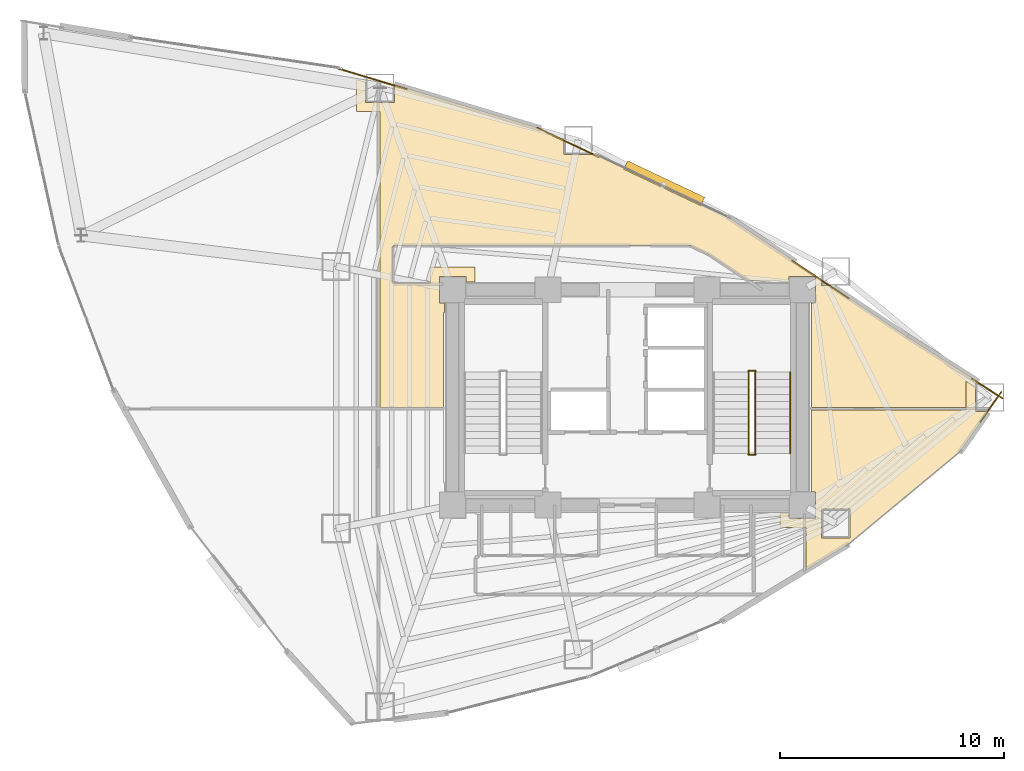
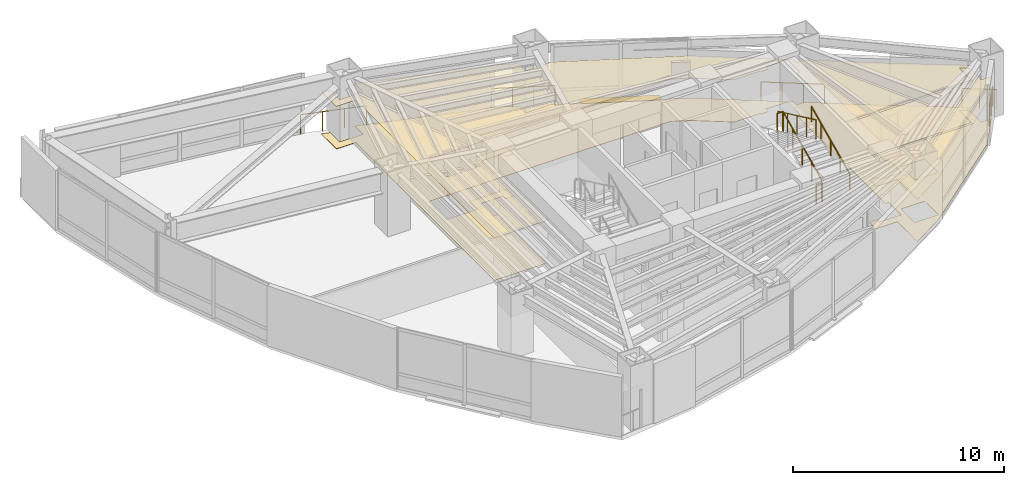
# One storey, part 23 of 23: 10 railings, 4 coverings, 1 shading device.
"""IFC4 building model written with IfcOpenShell, lengths in metres."""

from ifc_helpers import new_model, si_unit, direction, frame, origin, origin_2d, place, context, subcontext, project, spatial, polyline, rectangle, circle, outline, extrude, material, layer, layer_set, type_object, element, save


model = new_model("IFC4")

# Units and contexts
model_context = context("Model", 3, precision=1e-05, world=origin(), true_north=direction((0.0, 1.0)))
body_context = subcontext(model_context, "Body", "Model", "MODEL_VIEW")
ifc_project = project(units=[si_unit("LENGTHUNIT", "METRE"), si_unit("AREAUNIT", "SQUARE_METRE"), si_unit("VOLUMEUNIT", "CUBIC_METRE"), si_unit("PLANEANGLEUNIT", "RADIAN"), si_unit("MASSUNIT", "GRAM", prefix="KILO")], contexts=[model_context])

# Site, building, storey
site_placement = place(None, origin())
site = spatial("IfcSite", under=ifc_project, at=site_placement, CompositionType="ELEMENT")
building_placement = place(site_placement, origin())
building = spatial("IfcBuilding", under=site, at=building_placement, Name="Menara Vayukalpa", CompositionType="ELEMENT")
storey_placement = place(building_placement, frame((0.0, 0.0, 107.699951171875)))
storey = spatial("IfcBuildingStorey", under=building, at=storey_placement, Name="L26", CompositionType="ELEMENT", Elevation=107.699951171875)

# Coverings
ifc_material_1 = material(Name="Mineral Fibre Acoustic Ceiling Tile", Category="masonry")
ifc_layer_1 = layer(ifc_material_1, 0.02490234375)
ifc_layer_set_1 = layer_set([ifc_layer_1], Name="Mineral Fibre Acoustic Ceiling Tile")
covering_type_1 = type_object("IfcCoveringType", Name="COV-CLG1", PredefinedType="CEILING", material=ifc_layer_set_1)
covering_1_placement = place(storey_placement, frame((0.0, 0.0, 2.449951171875)))
element("IfcCovering", 1, at=covering_1_placement, inside=storey, type_object=covering_type_1, Name="L26 Executive Office Suite Acoustic Ceiling", PredefinedType="CEILING", context=body_context, shape_type="SweptSolid", body=[
    extrude(outline(polyline([(32.389892578125, 16.85009765625), (32.81005859375, 16.85009765625), (32.81005859375, 16.610107421875), (33.989990234375, 16.610107421875), (33.989990234375, 17.7900390625), (33.81005859375, 17.7900390625), (33.81005859375, 21.429931640625), (33.81005859375, 21.430908203125), (33.810302734375, 21.431884765625), (33.810302734375, 21.432861328125), (33.810791015625, 21.433837890625), (33.811279296875, 21.434814453125), (33.811767578125, 21.435546875), (33.812255859375, 21.436279296875), (33.81298828125, 21.43701171875), (33.813720703125, 21.437744140625), (33.814453125, 21.438232421875), (33.815185546875, 21.438720703125), (33.816162109375, 21.439208984375), (33.817138671875, 21.439697265625), (33.818115234375, 21.439697265625), (33.819091796875, 21.43994140625), (33.820068359375, 21.43994140625), (40.701904296875, 21.43994140625), (40.701904296875, 22.716796875), (41.121826171875, 22.44873046875), (41.121826171875, 21.360107421875), (41.6904296875, 21.360107421875), (40.461181640625, 19.6201171875), (40.46044921875, 19.619384765625), (40.4599609375, 19.618896484375), (40.459228515625, 19.618408203125), (35.380859375, 15.40673828125), (35.379638671875, 15.406005859375), (33.5751953125, 14.309814453125), (33.57421875, 14.309326171875), (33.573486328125, 14.308837890625), (33.572509765625, 14.30859375), (33.571533203125, 14.308349609375), (33.570556640625, 14.308349609375), (33.569580078125, 14.308349609375), (33.568603515625, 14.308349609375), (33.56787109375, 14.30859375), (33.56689453125, 14.308837890625), (33.56591796875, 14.30908203125), (33.565185546875, 14.3095703125), (33.564208984375, 14.31005859375), (33.5634765625, 14.310791015625), (33.562744140625, 14.311279296875), (33.562255859375, 14.31201171875), (33.5615234375, 14.312744140625), (33.56103515625, 14.313720703125), (33.560791015625, 14.314453125), (33.560302734375, 14.3154296875), (33.560302734375, 14.31640625), (33.56005859375, 14.3173828125), (33.56005859375, 14.318359375), (33.56005859375, 16.18994140625), (32.389892578125, 16.18994140625), (32.389892578125, 16.85009765625)]), holes=[polyline([(35.52685546875, 17.018310546875), (34.246826171875, 17.018310546875), (34.246826171875, 15.73828125), (35.52685546875, 15.73828125), (35.52685546875, 17.018310546875)])]), origin(), (0.0, 0.0, 1.0), 0.025146484375),
])
covering_2_placement = place(storey_placement, frame((0.0, 0.0, 2.449951171875)))
element("IfcCovering", 2, at=covering_2_placement, inside=storey, type_object=covering_type_1, Name="L26 Executive Office Suite Acoustic Ceiling", PredefinedType="CEILING", context=body_context, shape_type="SweptSolid", body=[
    extrude(outline(polyline([(40.701904296875, 20.93994140625), (40.701904296875, 21.56005859375), (33.820068359375, 21.56005859375), (33.819091796875, 21.56005859375), (33.818115234375, 21.560302734375), (33.817138671875, 21.560302734375), (33.816162109375, 21.560791015625), (33.815185546875, 21.561279296875), (33.814453125, 21.561767578125), (33.813720703125, 21.562255859375), (33.81298828125, 21.56298828125), (33.812255859375, 21.563720703125), (33.811767578125, 21.564453125), (33.811279296875, 21.565185546875), (33.810791015625, 21.566162109375), (33.810302734375, 21.567138671875), (33.810302734375, 21.568115234375), (33.81005859375, 21.569091796875), (33.81005859375, 21.570068359375), (33.81005859375, 26.2099609375), (33.989990234375, 26.2099609375), (33.989990234375, 27.389892578125), (32.81005859375, 27.389892578125), (32.81005859375, 27.14990234375), (32.389892578125, 27.14990234375), (32.389892578125, 27.2099609375), (30.968994140625, 27.2099609375), (30.968017578125, 27.2099609375), (30.96728515625, 27.210205078125), (30.96630859375, 27.21044921875), (30.96533203125, 27.210693359375), (30.96435546875, 27.211181640625), (30.96337890625, 27.211669921875), (29.236572265625, 28.364501953125), (29.22705078125, 28.369873046875), (28.396240234375, 28.76318359375), (28.390380859375, 28.765625), (28.384521484375, 28.767578125), (28.37841796875, 28.768798828125), (28.372314453125, 28.769775390625), (28.365966796875, 28.77001953125), (15.2001953125, 28.77001953125), (15.193115234375, 28.76953125), (15.186279296875, 28.768798828125), (15.1796875, 28.76708984375), (15.173095703125, 28.7646484375), (15.1669921875, 28.76171875), (15.1611328125, 28.75830078125), (15.155517578125, 28.75390625), (15.150390625, 28.74951171875), (15.14599609375, 28.744384765625), (15.141845703125, 28.73876953125), (15.13818359375, 28.73291015625), (15.13525390625, 28.726806640625), (15.133056640625, 28.72021484375), (15.13134765625, 28.713623046875), (15.13037109375, 28.706787109375), (15.1298828125, 28.69970703125), (15.1298828125, 27.140380859375), (15.13037109375, 27.13330078125), (15.13134765625, 27.126220703125), (15.133056640625, 27.11962890625), (15.13525390625, 27.11328125), (15.13818359375, 27.10693359375), (15.141845703125, 27.101318359375), (15.14599609375, 27.095458984375), (15.150390625, 27.090576171875), (15.155517578125, 27.0859375), (15.1611328125, 27.081787109375), (15.1669921875, 27.078125), (15.173095703125, 27.0751953125), (15.1796875, 27.072998046875), (15.186279296875, 27.0712890625), (15.193115234375, 27.0703125), (15.2001953125, 27.070068359375), (16.7900390625, 27.070068359375), (16.7900390625, 27.81005859375), (18.81005859375, 27.81005859375), (18.81005859375, 27.14990234375), (18.389892578125, 27.14990234375), (18.389892578125, 27.389892578125), (17.2099609375, 27.389892578125), (17.2099609375, 26.2099609375), (17.449951171875, 26.2099609375), (17.449951171875, 25.7900390625), (17.389892578125, 25.7900390625), (17.389892578125, 21.570068359375), (17.389892578125, 21.569091796875), (17.389892578125, 21.568115234375), (17.3896484375, 21.567138671875), (17.38916015625, 21.566162109375), (17.388916015625, 21.565185546875), (17.38818359375, 21.564453125), (17.3876953125, 21.563720703125), (17.38720703125, 21.56298828125), (17.38623046875, 21.562255859375), (17.385498046875, 21.561767578125), (17.384765625, 21.561279296875), (17.3837890625, 21.560791015625), (17.3828125, 21.560302734375), (17.382080078125, 21.560302734375), (17.381103515625, 21.56005859375), (17.3798828125, 21.56005859375), (14.570068359375, 21.56005859375), (14.569091796875, 21.56005859375), (14.568115234375, 21.560302734375), (14.567138671875, 21.560302734375), (14.566162109375, 21.560791015625), (14.565185546875, 21.561279296875), (14.564453125, 21.561767578125), (14.563720703125, 21.562255859375), (14.56298828125, 21.56298828125), (14.562255859375, 21.563720703125), (14.561767578125, 21.564453125), (14.561279296875, 21.565185546875), (14.560791015625, 21.566162109375), (14.560302734375, 21.567138671875), (14.560302734375, 21.568115234375), (14.56005859375, 21.569091796875), (14.56005859375, 21.570068359375), (14.56005859375, 34.7373046875), (13.509033203125, 34.7373046875), (13.509033203125, 36.178955078125), (13.92919921875, 36.052490234375), (13.92919921875, 35.157470703125), (15.208984375, 35.157470703125), (15.208984375, 35.94921875), (21.740966796875, 33.982666015625), (21.74169921875, 33.982421875), (21.742431640625, 33.982177734375), (22.768310546875, 33.49658203125), (22.768310546875, 32.827392578125), (24.048095703125, 32.827392578125), (24.048095703125, 32.890625), (30.155517578125, 29.999267578125), (30.156982421875, 29.99853515625), (34.246826171875, 27.268310546875), (34.246826171875, 26.981689453125), (34.67626953125, 26.981689453125), (38.0712890625, 24.71533203125), (38.072021484375, 24.71484375), (38.072265625, 24.714599609375), (41.32421875, 22.639892578125), (41.121826171875, 22.639892578125), (41.121826171875, 21.360107421875), (41.35986328125, 21.360107421875), (41.06298828125, 20.93994140625), (40.701904296875, 20.93994140625)])), origin(), (0.0, 0.0, 1.0), 0.025146484375),
])
ifc_material_2 = material(Name="Porcelain Stoneware Floor Tile", Category="masonry")
ifc_layer_2 = layer(ifc_material_2, 0.02001953125)
ifc_layer_set_2 = layer_set([ifc_layer_2], Name="Porcelain Stoneware Floor Tile")
covering_type_2 = type_object("IfcCoveringType", Name="COV-FLR1", PredefinedType="FLOORING", material=ifc_layer_set_2)
covering_3_placement = place(storey_placement, origin())
element("IfcCovering", 3, at=covering_3_placement, inside=storey, type_object=covering_type_2, Name="L26 Executive Office Suite Porcelain Flooring", PredefinedType="FLOORING", context=body_context, shape_type="SweptSolid", body=[
    extrude(outline(polyline([(32.389892578125, 16.85009765625), (32.81005859375, 16.85009765625), (32.81005859375, 16.610107421875), (33.989990234375, 16.610107421875), (33.989990234375, 17.7900390625), (33.81005859375, 17.7900390625), (33.81005859375, 21.429931640625), (33.81005859375, 21.430908203125), (33.810302734375, 21.431884765625), (33.810302734375, 21.432861328125), (33.810791015625, 21.433837890625), (33.811279296875, 21.434814453125), (33.811767578125, 21.435546875), (33.812255859375, 21.436279296875), (33.81298828125, 21.43701171875), (33.813720703125, 21.437744140625), (33.814453125, 21.438232421875), (33.815185546875, 21.438720703125), (33.816162109375, 21.439208984375), (33.817138671875, 21.439697265625), (33.818115234375, 21.439697265625), (33.819091796875, 21.43994140625), (33.820068359375, 21.43994140625), (40.701904296875, 21.43994140625), (40.701904296875, 22.716796875), (41.121826171875, 22.44873046875), (41.121826171875, 21.360107421875), (41.6904296875, 21.360107421875), (40.461181640625, 19.6201171875), (40.46044921875, 19.619384765625), (40.4599609375, 19.618896484375), (40.459228515625, 19.618408203125), (35.380859375, 15.40673828125), (35.379638671875, 15.406005859375), (33.5751953125, 14.309814453125), (33.57421875, 14.309326171875), (33.573486328125, 14.308837890625), (33.572509765625, 14.30859375), (33.571533203125, 14.308349609375), (33.570556640625, 14.308349609375), (33.569580078125, 14.308349609375), (33.568603515625, 14.308349609375), (33.56787109375, 14.30859375), (33.56689453125, 14.308837890625), (33.56591796875, 14.30908203125), (33.565185546875, 14.3095703125), (33.564208984375, 14.31005859375), (33.5634765625, 14.310791015625), (33.562744140625, 14.311279296875), (33.562255859375, 14.31201171875), (33.5615234375, 14.312744140625), (33.56103515625, 14.313720703125), (33.560791015625, 14.314453125), (33.560302734375, 14.3154296875), (33.560302734375, 14.31640625), (33.56005859375, 14.3173828125), (33.56005859375, 14.318359375), (33.56005859375, 16.18994140625), (32.389892578125, 16.18994140625), (32.389892578125, 16.85009765625)]), holes=[polyline([(35.52685546875, 17.018310546875), (34.246826171875, 17.018310546875), (34.246826171875, 15.73828125), (35.52685546875, 15.73828125), (35.52685546875, 17.018310546875)])]), origin(), (0.0, 0.0, 1.0), 0.02001953125),
])
covering_4_placement = place(storey_placement, origin())
element("IfcCovering", 4, at=covering_4_placement, inside=storey, type_object=covering_type_2, Name="L26 Executive Office Suite Porcelain Flooring", PredefinedType="FLOORING", context=body_context, shape_type="SweptSolid", body=[
    extrude(outline(polyline([(40.701904296875, 20.93994140625), (40.701904296875, 21.56005859375), (33.820068359375, 21.56005859375), (33.819091796875, 21.56005859375), (33.818115234375, 21.560302734375), (33.817138671875, 21.560302734375), (33.816162109375, 21.560791015625), (33.815185546875, 21.561279296875), (33.814453125, 21.561767578125), (33.813720703125, 21.562255859375), (33.81298828125, 21.56298828125), (33.812255859375, 21.563720703125), (33.811767578125, 21.564453125), (33.811279296875, 21.565185546875), (33.810791015625, 21.566162109375), (33.810302734375, 21.567138671875), (33.810302734375, 21.568115234375), (33.81005859375, 21.569091796875), (33.81005859375, 21.570068359375), (33.81005859375, 26.2099609375), (33.989990234375, 26.2099609375), (33.989990234375, 27.389892578125), (32.81005859375, 27.389892578125), (32.81005859375, 27.14990234375), (32.389892578125, 27.14990234375), (32.389892578125, 27.2099609375), (30.968994140625, 27.2099609375), (30.968017578125, 27.2099609375), (30.96728515625, 27.210205078125), (30.96630859375, 27.21044921875), (30.96533203125, 27.210693359375), (30.96435546875, 27.211181640625), (30.96337890625, 27.211669921875), (29.236572265625, 28.364501953125), (29.22705078125, 28.369873046875), (28.396240234375, 28.76318359375), (28.390380859375, 28.765625), (28.384521484375, 28.767578125), (28.37841796875, 28.768798828125), (28.372314453125, 28.769775390625), (28.365966796875, 28.77001953125), (15.2001953125, 28.77001953125), (15.193115234375, 28.76953125), (15.186279296875, 28.768798828125), (15.1796875, 28.76708984375), (15.173095703125, 28.7646484375), (15.1669921875, 28.76171875), (15.1611328125, 28.75830078125), (15.155517578125, 28.75390625), (15.150390625, 28.74951171875), (15.14599609375, 28.744384765625), (15.141845703125, 28.73876953125), (15.13818359375, 28.73291015625), (15.13525390625, 28.726806640625), (15.133056640625, 28.72021484375), (15.13134765625, 28.713623046875), (15.13037109375, 28.706787109375), (15.1298828125, 28.69970703125), (15.1298828125, 27.140380859375), (15.13037109375, 27.13330078125), (15.13134765625, 27.126220703125), (15.133056640625, 27.11962890625), (15.13525390625, 27.11328125), (15.13818359375, 27.10693359375), (15.141845703125, 27.101318359375), (15.14599609375, 27.095458984375), (15.150390625, 27.090576171875), (15.155517578125, 27.0859375), (15.1611328125, 27.081787109375), (15.1669921875, 27.078125), (15.173095703125, 27.0751953125), (15.1796875, 27.072998046875), (15.186279296875, 27.0712890625), (15.193115234375, 27.0703125), (15.2001953125, 27.070068359375), (16.7900390625, 27.070068359375), (16.7900390625, 27.81005859375), (18.81005859375, 27.81005859375), (18.81005859375, 27.14990234375), (18.389892578125, 27.14990234375), (18.389892578125, 27.389892578125), (17.2099609375, 27.389892578125), (17.2099609375, 26.2099609375), (17.449951171875, 26.2099609375), (17.449951171875, 25.7900390625), (17.389892578125, 25.7900390625), (17.389892578125, 21.570068359375), (17.389892578125, 21.569091796875), (17.389892578125, 21.568115234375), (17.3896484375, 21.567138671875), (17.38916015625, 21.566162109375), (17.388916015625, 21.565185546875), (17.38818359375, 21.564453125), (17.3876953125, 21.563720703125), (17.38720703125, 21.56298828125), (17.38623046875, 21.562255859375), (17.385498046875, 21.561767578125), (17.384765625, 21.561279296875), (17.3837890625, 21.560791015625), (17.3828125, 21.560302734375), (17.382080078125, 21.560302734375), (17.381103515625, 21.56005859375), (17.3798828125, 21.56005859375), (14.570068359375, 21.56005859375), (14.569091796875, 21.56005859375), (14.568115234375, 21.560302734375), (14.567138671875, 21.560302734375), (14.566162109375, 21.560791015625), (14.565185546875, 21.561279296875), (14.564453125, 21.561767578125), (14.563720703125, 21.562255859375), (14.56298828125, 21.56298828125), (14.562255859375, 21.563720703125), (14.561767578125, 21.564453125), (14.561279296875, 21.565185546875), (14.560791015625, 21.566162109375), (14.560302734375, 21.567138671875), (14.560302734375, 21.568115234375), (14.56005859375, 21.569091796875), (14.56005859375, 21.570068359375), (14.56005859375, 34.7373046875), (13.509033203125, 34.7373046875), (13.509033203125, 36.178955078125), (13.92919921875, 36.052490234375), (13.92919921875, 35.157470703125), (15.208984375, 35.157470703125), (15.208984375, 35.94921875), (21.740966796875, 33.982666015625), (21.74169921875, 33.982421875), (21.742431640625, 33.982177734375), (22.768310546875, 33.49658203125), (22.768310546875, 32.827392578125), (24.048095703125, 32.827392578125), (24.048095703125, 32.890625), (30.155517578125, 29.999267578125), (30.156982421875, 29.99853515625), (34.246826171875, 27.268310546875), (34.246826171875, 26.981689453125), (34.67626953125, 26.981689453125), (38.0712890625, 24.71533203125), (38.072021484375, 24.71484375), (38.072265625, 24.714599609375), (41.32421875, 22.639892578125), (41.121826171875, 22.639892578125), (41.121826171875, 21.360107421875), (41.35986328125, 21.360107421875), (41.06298828125, 20.93994140625), (40.701904296875, 20.93994140625)])), origin(), (0.0, 0.0, 1.0), 0.02001953125),
])

# Railings
ifc_material_3 = material(Name="Laminated Glass and Stainless Steel 316 Guardrail", Category="steel")
railing_type_1 = type_object("IfcRailingType", Name="RLG-EXT115", PredefinedType="GUARDRAIL", material=ifc_material_3)
railing_1_placement = place(storey_placement, frame((41.322509765625, 20.908447265625, 0.0)))
element("IfcRailing", 5, at=railing_1_placement, inside=storey, type_object=railing_type_1, Name="L26 Column Corner Spandrel Guardrail 01-1", PredefinedType="GUARDRAIL", context=body_context, shape_type="SweptSolid", body=[
    extrude(circle(Radius=0.02392578125, at=origin_2d()), frame((0.0, 0.0, 1.1259765625), z_axis=(0.577005689329, 0.816740126651, 0.0), x_axis=(-0.816740126651, 0.577005689329, 0.0)), (0.0, 0.0, 1.0), 1.634521484375),
    extrude(circle(Radius=0.02099609375, at=origin_2d()), origin(), (0.0, 0.0, 1.0), 1.101806640625),
    extrude(circle(Radius=0.02099609375, at=origin_2d()), frame((0.4716796875, 0.66748046875, 0.0)), (0.0, 0.0, 1.0), 1.101806640625),
    extrude(circle(Radius=0.02099609375, at=origin_2d()), frame((0.943115234375, 1.3349609375, 0.0)), (0.0, 0.0, 1.0), 1.101806640625),
])
railing_2_placement = place(storey_placement, frame((42.322265625, 21.955810546875, 0.0)))
element("IfcRailing", 6, at=railing_2_placement, inside=storey, type_object=railing_type_1, Name="L26 Column Corner Spandrel Guardrail 02-1", PredefinedType="GUARDRAIL", context=body_context, shape_type="SweptSolid", body=[
    extrude(circle(Radius=0.02392578125, at=origin_2d()), frame((0.0, 0.0, 1.1259765625), z_axis=(-0.843072907212, 0.537799287025, 0.0), x_axis=(-0.537799287025, -0.843072907212, 0.0)), (0.0, 0.0, 1.0), 1.64111328125),
    extrude(circle(Radius=0.02099609375, at=origin_2d()), origin(), (0.0, 0.0, 1.0), 1.101806640625),
    extrude(circle(Radius=0.02099609375, at=origin_2d()), frame((-0.69189453125, 0.44140625, 0.0)), (0.0, 0.0, 1.0), 1.101806640625),
    extrude(circle(Radius=0.02099609375, at=origin_2d()), frame((-1.383544921875, 0.882568359375, 0.0)), (0.0, 0.0, 1.0), 1.101806640625),
])
railing_3_placement = place(storey_placement, frame((35.45654296875, 26.412841796875, 0.0)))
element("IfcRailing", 7, at=railing_3_placement, inside=storey, type_object=railing_type_1, Name="L26 Column Corner Spandrel Guardrail 03-1", PredefinedType="GUARDRAIL", context=body_context, shape_type="SweptSolid", body=[
    extrude(circle(Radius=0.02392578125, at=origin_2d()), frame((0.0, 0.0, 1.1259765625), z_axis=(-0.831751720717, 0.555147795713, 0.0), x_axis=(-0.555147795713, -0.831751720717, 0.0)), (0.0, 0.0, 1.0), 3.020263671875),
    extrude(circle(Radius=0.02099609375, at=origin_2d()), origin(), (0.0, 0.0, 1.0), 1.101806640625),
    extrude(circle(Radius=0.02099609375, at=origin_2d()), frame((-0.83740234375, 0.558837890625, 0.0)), (0.0, 0.0, 1.0), 1.101806640625),
    extrude(circle(Radius=0.02099609375, at=origin_2d()), frame((-1.6748046875, 1.117919921875, 0.0)), (0.0, 0.0, 1.0), 1.101806640625),
    extrude(circle(Radius=0.02099609375, at=origin_2d()), frame((-2.51220703125, 1.6767578125, 0.0)), (0.0, 0.0, 1.0), 1.101806640625),
])
railing_4_placement = place(storey_placement, frame((24.320068359375, 32.717529296875, 0.0)))
element("IfcRailing", 8, at=railing_4_placement, inside=storey, type_object=railing_type_1, Name="L26 Column Corner Spandrel Guardrail 04-1", PredefinedType="GUARDRAIL", context=body_context, shape_type="SweptSolid", body=[
    extrude(circle(Radius=0.02392578125, at=origin_2d()), frame((0.0, 0.0, 1.1259765625), z_axis=(-0.903818151979, 0.427916753765, 0.0), x_axis=(-0.427916753765, -0.903818151979, 0.0)), (0.0, 0.0, 1.0), 3.032470703125),
    extrude(circle(Radius=0.02099609375, at=origin_2d()), origin(), (0.0, 0.0, 1.0), 1.101806640625),
    extrude(circle(Radius=0.02099609375, at=origin_2d()), frame((-0.91357421875, 0.4326171875, 0.0)), (0.0, 0.0, 1.0), 1.101806640625),
    extrude(circle(Radius=0.02099609375, at=origin_2d()), frame((-1.8271484375, 0.864990234375, 0.0)), (0.0, 0.0, 1.0), 1.101806640625),
    extrude(circle(Radius=0.02099609375, at=origin_2d()), frame((-2.74072265625, 1.297607421875, 0.0)), (0.0, 0.0, 1.0), 1.101806640625),
])
railing_5_placement = place(storey_placement, frame((15.7490234375, 35.744873046875, 0.0)))
element("IfcRailing", 9, at=railing_5_placement, inside=storey, type_object=railing_type_1, Name="L26 Column Corner Spandrel Guardrail 05-1", PredefinedType="GUARDRAIL", context=body_context, shape_type="SweptSolid", body=[
    extrude(circle(Radius=0.02392578125, at=origin_2d()), frame((0.0, 0.0, 1.1259765625), z_axis=(-0.957550754701, 0.288264725854, 0.0), x_axis=(-0.288264725854, -0.957550754701, 0.0)), (0.0, 0.0, 1.0), 3.224365234375),
    extrude(circle(Radius=0.02099609375, at=origin_2d()), origin(), (0.0, 0.0, 1.0), 1.101806640625),
    extrude(circle(Radius=0.02099609375, at=origin_2d()), frame((-1.029052734375, 0.309814453125, 0.0)), (0.0, 0.0, 1.0), 1.101806640625),
    extrude(circle(Radius=0.02099609375, at=origin_2d()), frame((-2.058349609375, 0.61962890625, 0.0)), (0.0, 0.0, 1.0), 1.101806640625),
    extrude(circle(Radius=0.02099609375, at=origin_2d()), frame((-3.08740234375, 0.929443359375, 0.0)), (0.0, 0.0, 1.0), 1.101806640625),
])
ifc_material_4 = material(Name="Powder-Coated Galvanised Steel Guardrail", Category="steel")
railing_type_2 = type_object("IfcRailingType", Name="RLG-STG110", PredefinedType="GUARDRAIL", material=ifc_material_4)
railing_6_placement = place(storey_placement, frame((31.300048828125, 19.5, 0.155029296875)))
element("IfcRailing", 10, at=railing_6_placement, inside=storey, type_object=railing_type_2, Name="L26 ST-2 stair guard 1", PredefinedType="GUARDRAIL", context=body_context, shape_type="SweptSolid", body=[
    extrude(circle(Radius=0.02392578125, at=origin_2d()), frame((0.0, 0.0, 1.09619140625), z_axis=(0.0, 0.90511648382, 0.425163675209), x_axis=(-1.0, 0.0, 0.0)), (0.0, 0.0, 1.0), 4.010498046875),
    extrude(circle(Radius=0.02099609375, at=origin_2d()), origin(), (0.0, 0.0, 1.0), 1.072021484375),
    extrude(circle(Radius=0.02099609375, at=origin_2d()), frame((0.0, 0.907470703125, 0.42626953125)), (0.0, 0.0, 1.0), 1.072021484375),
    extrude(circle(Radius=0.02099609375, at=origin_2d()), frame((0.0, 1.81494140625, 0.8525390625)), (0.0, 0.0, 1.0), 1.072021484375),
    extrude(circle(Radius=0.02099609375, at=origin_2d()), frame((0.0, 2.722412109375, 1.27880859375)), (0.0, 0.0, 1.0), 1.072021484375),
    extrude(circle(Radius=0.02099609375, at=origin_2d()), frame((0.0, 3.6298828125, 1.705078125)), (0.0, 0.0, 1.0), 1.072021484375),
])
railing_7_placement = place(storey_placement, frame((31.31005859375, 23.179931640625, 1.860107421875)))
element("IfcRailing", 11, at=railing_7_placement, inside=storey, type_object=railing_type_2, Name="L26 ST-2 stair guard 2", PredefinedType="GUARDRAIL", context=body_context, shape_type="SweptSolid", body=[
    extrude(circle(Radius=0.02392578125, at=origin_2d()), frame((0.0, 0.0, 1.09619140625), z_axis=(-1.0, 0.0, 0.0), x_axis=(0.0, -1.0, 0.0)), (0.0, 0.0, 1.0), 0.320068359375),
    extrude(circle(Radius=0.02099609375, at=origin_2d()), origin(), (0.0, 0.0, 1.0), 1.072021484375),
    extrude(circle(Radius=0.02099609375, at=origin_2d()), frame((-0.320068359375, 0.0, 0.0)), (0.0, 0.0, 1.0), 1.072021484375),
])
railing_8_placement = place(storey_placement, frame((31.0, 23.1298828125, 2.01513671875)))
element("IfcRailing", 12, at=railing_8_placement, inside=storey, type_object=railing_type_2, Name="L26 ST-2 stair guard 3", PredefinedType="GUARDRAIL", context=body_context, shape_type="SweptSolid", body=[
    extrude(circle(Radius=0.02392578125, at=origin_2d()), frame((0.0, 0.0, 1.09619140625), z_axis=(0.0, -0.90513990983, 0.425113800803), x_axis=(1.0, 0.0, 0.0)), (0.0, 0.0, 1.0), 4.01025390625),
    extrude(circle(Radius=0.02099609375, at=origin_2d()), origin(), (0.0, 0.0, 1.0), 1.072021484375),
    extrude(circle(Radius=0.02099609375, at=origin_2d()), frame((0.0, -0.907470703125, 0.42626953125)), (0.0, 0.0, 1.0), 1.072021484375),
    extrude(circle(Radius=0.02099609375, at=origin_2d()), frame((0.0, -1.81494140625, 0.8525390625)), (0.0, 0.0, 1.0), 1.072021484375),
    extrude(circle(Radius=0.02099609375, at=origin_2d()), frame((0.0, -2.722412109375, 1.278564453125)), (0.0, 0.0, 1.0), 1.072021484375),
    extrude(circle(Radius=0.02099609375, at=origin_2d()), frame((0.0, -3.6298828125, 1.704833984375)), (0.0, 0.0, 1.0), 1.072021484375),
])
railing_9_placement = place(storey_placement, frame((31.31005859375, 19.449951171875, 0.0)))
element("IfcRailing", 13, at=railing_9_placement, inside=storey, type_object=railing_type_2, Name="L26 ST-2 stair guard 4", PredefinedType="GUARDRAIL", context=body_context, shape_type="SweptSolid", body=[
    extrude(circle(Radius=0.02392578125, at=origin_2d()), frame((0.0, 0.0, 1.09619140625), z_axis=(-1.0, 0.0, 0.0), x_axis=(0.0, -1.0, 0.0)), (0.0, 0.0, 1.0), 0.320068359375),
    extrude(circle(Radius=0.02099609375, at=origin_2d()), origin(), (0.0, 0.0, 1.0), 1.072021484375),
    extrude(circle(Radius=0.02099609375, at=origin_2d()), frame((-0.320068359375, 0.0, 0.0)), (0.0, 0.0, 1.0), 1.072021484375),
])
ifc_material_5 = material(Name="Stainless Steel 316 Tubular Handrail", Category="steel")
railing_type_3 = type_object("IfcRailingType", Name="RLG-STH090", PredefinedType="HANDRAIL", material=ifc_material_5)
railing_10_placement = place(storey_placement, frame((32.85009765625, 19.5, 0.155029296875)))
element("IfcRailing", 14, at=railing_10_placement, inside=storey, type_object=railing_type_3, Name="L26 ST-2 stair handrail 1", PredefinedType="HANDRAIL", context=body_context, shape_type="SweptSolid", body=[
    extrude(circle(Radius=0.02392578125, at=origin_2d()), frame((0.0, 0.0, 0.8759765625), z_axis=(0.0, 0.90511648382, 0.425163675209), x_axis=(-1.0, 0.0, 0.0)), (0.0, 0.0, 1.0), 4.010498046875),
    extrude(circle(Radius=0.02099609375, at=origin_2d()), origin(), (0.0, 0.0, 1.0), 0.851806640625),
    extrude(circle(Radius=0.02099609375, at=origin_2d()), frame((0.0, 0.907470703125, 0.42626953125)), (0.0, 0.0, 1.0), 0.851806640625),
    extrude(circle(Radius=0.02099609375, at=origin_2d()), frame((0.0, 1.81494140625, 0.8525390625)), (0.0, 0.0, 1.0), 0.851806640625),
    extrude(circle(Radius=0.02099609375, at=origin_2d()), frame((0.0, 2.722412109375, 1.27880859375)), (0.0, 0.0, 1.0), 0.851806640625),
    extrude(circle(Radius=0.02099609375, at=origin_2d()), frame((0.0, 3.6298828125, 1.705078125)), (0.0, 0.0, 1.0), 0.851806640625),
])

# Shading device
ifc_material_6 = material(Name="Glazed Terracotta Ceramic Baguette Extrusion", Category="masonry")
ifc_layer_3 = layer(ifc_material_6, 0.1201171875)
ifc_layer_set_3 = layer_set([ifc_layer_3], Name="Glazed Terracotta Ceramic Baguette Extrusion")
shading_device_type = type_object("IfcShadingDeviceType", Name="SHD-SS1", PredefinedType="USERDEFINED", material=ifc_layer_set_3)
shading_device_placement = place(storey_placement, frame((27.239013671875, 31.5458984375, -0.10009765625), z_axis=(0.0, 0.0, 1.0), x_axis=(-0.90383625926, 0.427878506643, 0.0)))
element("IfcShadingDevice", 15, at=shading_device_placement, inside=storey, type_object=shading_device_type, Name="L26 Horizontal Terracotta Sunshade Band 05", ObjectType="SUNSHADE", PredefinedType="USERDEFINED", context=body_context, shape_type="SweptSolid", body=[
    extrude(rectangle(XDim=3.800048828125, YDim=0.419921875, at=origin_2d()), origin(), (0.0, 0.0, 1.0), 0.1201171875),
])

save(model, "model.ifc")
